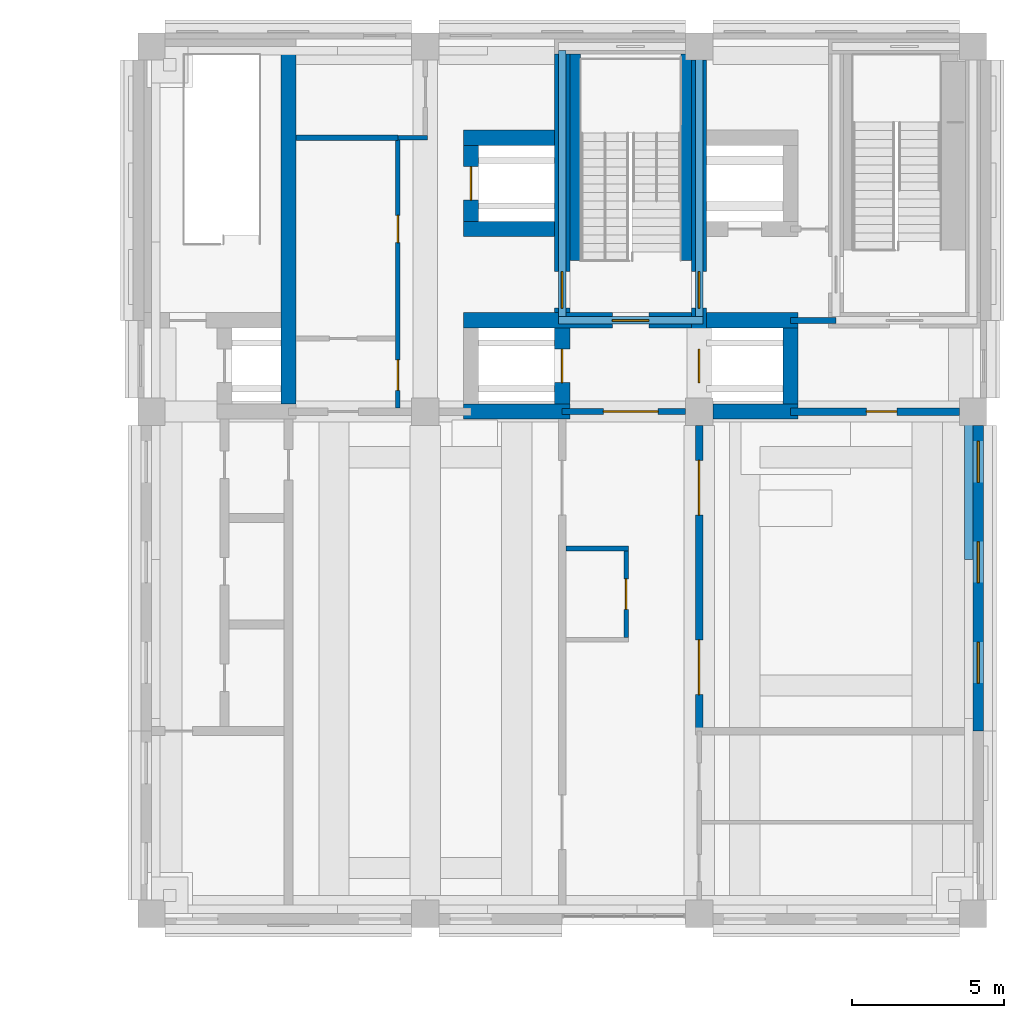
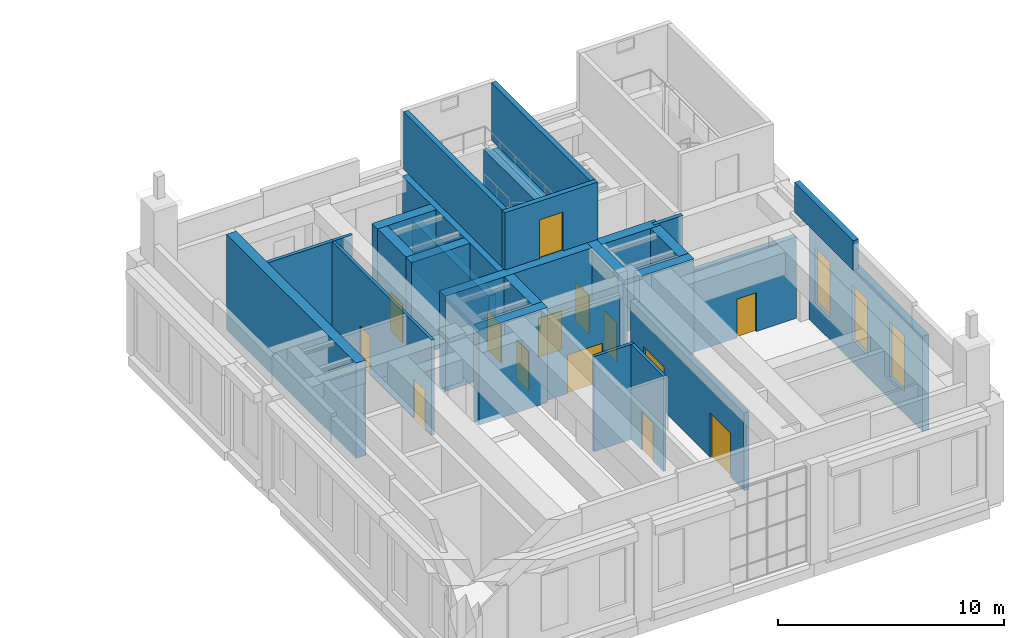
# One storey, part 16 of 22: 26 walls, 14 doors, 3 windows, 17 openings.
"""IFC4 building model written with IfcOpenShell, lengths in metres."""

from ifc_helpers import new_model, si_unit, direction, frame, frame_2d, origin, place, context, subcontext, project, spatial, rectangle, extrude, material, layer, layer_set, type_object, element, fill, save


model = new_model("IFC4")

# Units and contexts
model_context = context("Model", 3, precision=1e-05, world=origin(), true_north=direction((0.0, 1.0)))
body_context = subcontext(model_context, "Body", "Model", "MODEL_VIEW")
ifc_project = project(units=[si_unit("LENGTHUNIT", "METRE"), si_unit("AREAUNIT", "SQUARE_METRE"), si_unit("VOLUMEUNIT", "CUBIC_METRE"), si_unit("PLANEANGLEUNIT", "RADIAN"), si_unit("MASSUNIT", "GRAM", prefix="KILO")], contexts=[model_context])

# Site, building, storey
site_placement = place(None, origin())
site = spatial("IfcSite", under=ifc_project, at=site_placement, CompositionType="ELEMENT")
building_placement = place(site_placement, origin())
building = spatial("IfcBuilding", under=site, at=building_placement, Name="Aurelan Courthouse", CompositionType="ELEMENT")
storey_placement = place(building_placement, frame((0.0, 0.0, 39.0)))
storey = spatial("IfcBuildingStorey", under=building, at=storey_placement, Name="L07", CompositionType="ELEMENT", Elevation=39.0)

# Walls
ifc_material_1 = material(Name="Limestone cladding", Category="masonry")
ifc_layer_1 = layer(ifc_material_1, 0.280029296875)
ifc_layer_set_1 = layer_set([ifc_layer_1], Name="Limestone cladding")
wall_type_1 = type_object("IfcWallType", Name="CR2 crown parapet 280 x 1600", PredefinedType="PARAPET", material=ifc_layer_set_1)
wall_1_placement = place(storey_placement, frame((62.860107421875, 49.139892578125, 5.39990234375), z_axis=(0.0, 0.0, 1.0), x_axis=(0.0, 1.0, 0.0)))
element("IfcWall", 1, at=wall_1_placement, inside=storey, type_object=wall_type_1, Name="Crown parapet CR2-PA18", PredefinedType="PARAPET", context=body_context, shape_type="SweptSolid", body=[
    extrude(rectangle(XDim=5.22021484375, YDim=0.280029296875, at=frame_2d((2.610107421875, 0.0))), origin(), (0.0, 0.0, 1.0), 1.60009765625),
])
ifc_material_2 = material(Name="Gypsum board on metal studs")
ifc_layer_2 = layer(ifc_material_2, 0.175048828125)
ifc_layer_set_2 = layer_set([ifc_layer_2], Name="Gypsum board on metal studs")
wall_type_2 = type_object("IfcWallType", Name="Chambers acoustic partition 175 NOT RATED", PredefinedType="PARTITIONING", material=ifc_layer_set_2)
wall_2_placement = place(storey_placement, frame((40.75, 63.0, 0.0), z_axis=(0.0, 0.0, 1.0), x_axis=(1.0, 0.0, 0.0)))
element("IfcWall", 2, at=wall_2_placement, inside=storey, type_object=wall_type_2, Name="Chambers acoustic partition L07-026", PredefinedType="PARTITIONING", context=body_context, shape_type="SweptSolid", body=[
    extrude(rectangle(XDim=3.35009765625, YDim=0.175048828125, at=frame_2d((1.675048828125, 0.0))), origin(), (0.0, 0.0, 1.0), 5.14990234375),
])
ifc_layer_3 = layer(ifc_material_2, 0.14990234375)
ifc_layer_set_3 = layer_set([ifc_layer_3], Name="Gypsum board on metal studs")
wall_type_3 = type_object("IfcWallType", Name="Corridor partition 150 EI 60", PredefinedType="PARTITIONING", material=ifc_layer_set_3)
wall_3_placement = place(storey_placement, frame((49.625, 49.5, 0.0), z_axis=(0.0, 0.0, 1.0), x_axis=(1.0, 0.0, 0.0)))
element("IfcWall", 3, at=wall_3_placement, inside=storey, type_object=wall_type_3, Name="Corridor partition L07-017", PredefinedType="PARTITIONING", context=body_context, shape_type="SweptSolid", body=[
    extrude(rectangle(XDim=2.050048828125, YDim=0.14990234375, at=frame_2d((1.02490234375, 0.0))), origin(), (0.0, 0.0, 1.0), 5.14990234375),
])
wall_4_placement = place(storey_placement, frame((44.10009765625, 63.0, 0.0), z_axis=(0.0, 0.0, 1.0), x_axis=(1.0, 0.0, 0.0)))
element("IfcWall", 4, at=wall_4_placement, inside=storey, type_object=wall_type_3, Name="Corridor partition L07-027", PredefinedType="PARTITIONING", context=body_context, shape_type="SweptSolid", body=[
    extrude(rectangle(XDim=0.974853515625, YDim=0.14990234375, at=frame_2d((0.4873046875, 0.0))), origin(), (0.0, 0.0, 1.0), 5.14990234375),
])

# Wall, openings, doors
wall_5_placement = place(storey_placement, frame((44.10009765625, 54.125, 0.0), z_axis=(0.0, 0.0, 1.0), x_axis=(0.0, 1.0, 0.0)))
wall_5 = element("IfcWall", 5, at=wall_5_placement, inside=storey, type_object=wall_type_3, Name="Corridor partition L07-038", PredefinedType="PARTITIONING", context=body_context, shape_type="SweptSolid", body=[
    extrude(rectangle(XDim=8.800048828125, YDim=0.14990234375, at=frame_2d((4.39990234375, 0.0))), origin(), (0.0, 0.0, 1.0), 5.14990234375),
])
opening_1_placement = place(wall_5_placement, frame((0.574951171875, 0.0, 0.0)))
opening_1 = element("IfcOpeningElement", 6, at=opening_1_placement, cuts=wall_5, Name="Opening D-L07-025", PredefinedType="OPENING", context=body_context, shape_type="SweptSolid", body=[
    extrude(rectangle(XDim=1.0, YDim=2.10009765625, at=frame_2d((0.5, 1.050048828125))), frame((0.0, 0.0849609375, 0.0), z_axis=(0.0, -1.0, 0.0), x_axis=(1.0, 0.0, 0.0)), (0.0, 0.0, 1.0), 0.169921875),
])
opening_2_placement = place(wall_5_placement, frame((5.425048828125, 0.0, 0.0)))
opening_2 = element("IfcOpeningElement", 7, at=opening_2_placement, cuts=wall_5, Name="Opening D-L07-026", PredefinedType="OPENING", context=body_context, shape_type="SweptSolid", body=[
    extrude(rectangle(XDim=0.89990234375, YDim=2.10009765625, at=frame_2d((0.449951171875, 1.050048828125))), frame((0.0, 0.0849609375, 0.0), z_axis=(0.0, -1.0, 0.0), x_axis=(1.0, 0.0, 0.0)), (0.0, 0.0, 1.0), 0.169921875),
])
ifc_material_3 = material(Name="Steel", Category="steel")
door_type_1 = type_object("IfcDoorType", Name="Single door 1000 x 2100 FD60", OperationType="SINGLE_SWING_LEFT", PredefinedType="DOOR", material=ifc_material_3)
door_1_placement = place(opening_1_placement, origin())
door_1 = element("IfcDoor", 8, at=door_1_placement, inside=storey, type_object=door_type_1, Name="Single door D-L07-025", OperationType="SINGLE_SWING_RIGHT", OverallHeight=2.10009765625, OverallWidth=1.0, PredefinedType="DOOR", context=body_context, shape_type="SweptSolid", body=[
    extrude(rectangle(XDim=1.0, YDim=2.10009765625, at=frame_2d((0.5, 1.050048828125))), frame((0.0, 0.02490234375, 0.0), z_axis=(0.0, -1.0, 0.0), x_axis=(1.0, 0.0, 0.0)), (0.0, 0.0, 1.0), 0.050048828125),
])
fill(opening_1, door_1)
door_type_2 = type_object("IfcDoorType", Name="Single door 900 x 2100 FD60", OperationType="SINGLE_SWING_LEFT", PredefinedType="DOOR", material=ifc_material_3)
door_2_placement = place(opening_2_placement, origin())
door_2 = element("IfcDoor", 9, at=door_2_placement, inside=storey, type_object=door_type_2, Name="Single door D-L07-026", OperationType="SINGLE_SWING_RIGHT", OverallHeight=2.10009765625, OverallWidth=0.89990234375, PredefinedType="DOOR", context=body_context, shape_type="SweptSolid", body=[
    extrude(rectangle(XDim=0.89990234375, YDim=2.10009765625, at=frame_2d((0.449951171875, 1.050048828125))), frame((0.0, 0.02490234375, 0.0), z_axis=(0.0, -1.0, 0.0), x_axis=(1.0, 0.0, 0.0)), (0.0, 0.0, 1.0), 0.050048828125),
])
fill(opening_2, door_2)

# Wall, opening, door
wall_6_placement = place(storey_placement, frame((51.60009765625, 46.574951171875, 0.0), z_axis=(0.0, 0.0, 1.0), x_axis=(0.0, 1.0, 0.0)))
wall_6 = element("IfcWall", 10, at=wall_6_placement, inside=storey, type_object=wall_type_3, Name="Corridor partition L07-041", PredefinedType="PARTITIONING", context=body_context, shape_type="SweptSolid", body=[
    extrude(rectangle(XDim=2.85009765625, YDim=0.14990234375, at=frame_2d((1.425048828125, 0.0))), origin(), (0.0, 0.0, 1.0), 5.14990234375),
])
opening_3_placement = place(wall_6_placement, frame((0.925048828125, 0.0, 0.0)))
opening_3 = element("IfcOpeningElement", 11, at=opening_3_placement, cuts=wall_6, Name="Opening D-L07-013", PredefinedType="OPENING", context=body_context, shape_type="SweptSolid", body=[
    extrude(rectangle(XDim=1.0, YDim=2.10009765625, at=frame_2d((0.5, 1.050048828125))), frame((0.0, 0.0849609375, 0.0), z_axis=(0.0, -1.0, 0.0), x_axis=(1.0, 0.0, 0.0)), (0.0, 0.0, 1.0), 0.169921875),
])
door_3_placement = place(opening_3_placement, origin())
door_3 = element("IfcDoor", 12, at=door_3_placement, inside=storey, type_object=door_type_1, Name="Single door D-L07-013", OperationType="SINGLE_SWING_RIGHT", OverallHeight=2.10009765625, OverallWidth=1.0, PredefinedType="DOOR", context=body_context, shape_type="SweptSolid", body=[
    extrude(rectangle(XDim=1.0, YDim=2.10009765625, at=frame_2d((0.5, 1.050048828125))), frame((0.0, 0.02490234375, 0.0), z_axis=(0.0, -1.0, 0.0), x_axis=(1.0, 0.0, 0.0)), (0.0, 0.0, 1.0), 0.050048828125),
])
fill(opening_3, door_3)

# Wall, openings, windows
ifc_layer_4 = layer(ifc_material_1, 0.10009765625, Name="Facing")
ifc_material_4 = material(Name="Ventilated cavity")
ifc_layer_5 = layer(ifc_material_4, 0.02490234375, ventilated=True, Name="Ventilated cavity")
ifc_material_5 = material(Name="Mineral wool insulation")
ifc_layer_6 = layer(ifc_material_5, 0.050048828125, Name="Insulation")
ifc_material_6 = material(Name="Concrete C30", Category="concrete")
ifc_layer_7 = layer(ifc_material_6, 0.175048828125, Name="Structure")
ifc_layer_set_4 = layer_set([ifc_layer_4, ifc_layer_5, ifc_layer_6, ifc_layer_7], Name="Concrete C30")
wall_type_4 = type_object("IfcWallType", Name="Courtroom Block stone-faced wall 350", PredefinedType="SOLIDWALL", material=ifc_layer_set_4)
wall_7_placement = place(storey_placement, frame((63.175048828125, 43.5, 0.0), z_axis=(0.0, 0.0, 1.0), x_axis=(0.0, 1.0, 0.0)))
wall_7 = element("IfcWall", 13, at=wall_7_placement, inside=storey, type_object=wall_type_4, Name="Facade wall FW-V2-L07-008", PredefinedType="SOLIDWALL", context=body_context, shape_type="SweptSolid", body=[
    extrude(rectangle(XDim=10.050048828125, YDim=0.35009765625, at=frame_2d((5.02490234375, 0.0))), origin(), (0.0, 0.0, 1.0), 5.14990234375),
])
opening_4_placement = place(wall_7_placement, frame((1.574951171875, 0.0, 1.199951171875)))
opening_4 = element("IfcOpeningElement", 14, at=opening_4_placement, cuts=wall_7, Name="Opening WN-V2-L07-010", PredefinedType="OPENING", context=body_context, shape_type="SweptSolid", body=[
    extrude(rectangle(XDim=1.35009765625, YDim=3.0, at=frame_2d((0.675048828125, 1.5))), frame((0.0, 0.18505859375, 0.0), z_axis=(0.0, -1.0, 0.0), x_axis=(1.0, 0.0, 0.0)), (0.0, 0.0, 1.0), 0.3701171875),
])
opening_5_placement = place(wall_7_placement, frame((4.875, 0.0, 1.199951171875)))
opening_5 = element("IfcOpeningElement", 15, at=opening_5_placement, cuts=wall_7, Name="Opening WN-V2-L07-011", PredefinedType="OPENING", context=body_context, shape_type="SweptSolid", body=[
    extrude(rectangle(XDim=1.35009765625, YDim=3.0, at=frame_2d((0.675048828125, 1.5))), frame((0.0, 0.18505859375, 0.0), z_axis=(0.0, -1.0, 0.0), x_axis=(1.0, 0.0, 0.0)), (0.0, 0.0, 1.0), 0.3701171875),
])
opening_6_placement = place(wall_7_placement, frame((8.175048828125, 0.0, 1.199951171875)))
opening_6 = element("IfcOpeningElement", 16, at=opening_6_placement, cuts=wall_7, Name="Opening WN-V2-L07-012", PredefinedType="OPENING", context=body_context, shape_type="SweptSolid", body=[
    extrude(rectangle(XDim=1.35009765625, YDim=3.0, at=frame_2d((0.675048828125, 1.5))), frame((0.0, 0.18505859375, 0.0), z_axis=(0.0, -1.0, 0.0), x_axis=(1.0, 0.0, 0.0)), (0.0, 0.0, 1.0), 0.3701171875),
])
ifc_material_7 = material(Name="Bronze-finished aluminium and glass", Category="aluminium")
window_type = type_object("IfcWindowType", Name="Courtroom Block glazed slot 1350 x 3000, sill 1200", PartitioningType="SINGLE_PANEL", PredefinedType="WINDOW", material=ifc_material_7)
window_1_placement = place(opening_4_placement, origin())
window_1 = element("IfcWindow", 17, at=window_1_placement, inside=storey, type_object=window_type, Name="Glazed slot WN-V2-L07-010", OverallHeight=3.0, OverallWidth=1.35009765625, PartitioningType="SINGLE_PANEL", PredefinedType="WINDOW", context=body_context, shape_type="SweptSolid", body=[
    extrude(rectangle(XDim=1.35009765625, YDim=3.0, at=frame_2d((0.675048828125, 1.5))), frame((0.0, 0.030029296875, 0.0), z_axis=(0.0, -1.0, 0.0), x_axis=(1.0, 0.0, 0.0)), (0.0, 0.0, 1.0), 0.06005859375),
])
fill(opening_4, window_1)
window_2_placement = place(opening_5_placement, origin())
window_2 = element("IfcWindow", 18, at=window_2_placement, inside=storey, type_object=window_type, Name="Glazed slot WN-V2-L07-011", OverallHeight=3.0, OverallWidth=1.35009765625, PartitioningType="SINGLE_PANEL", PredefinedType="WINDOW", context=body_context, shape_type="SweptSolid", body=[
    extrude(rectangle(XDim=1.35009765625, YDim=3.0, at=frame_2d((0.675048828125, 1.5))), frame((0.0, 0.030029296875, 0.0), z_axis=(0.0, -1.0, 0.0), x_axis=(1.0, 0.0, 0.0)), (0.0, 0.0, 1.0), 0.06005859375),
])
fill(opening_5, window_2)
window_3_placement = place(opening_6_placement, origin())
window_3 = element("IfcWindow", 19, at=window_3_placement, inside=storey, type_object=window_type, Name="Glazed slot WN-V2-L07-012", OverallHeight=3.0, OverallWidth=1.35009765625, PartitioningType="SINGLE_PANEL", PredefinedType="WINDOW", context=body_context, shape_type="SweptSolid", body=[
    extrude(rectangle(XDim=1.35009765625, YDim=3.0, at=frame_2d((0.675048828125, 1.5))), frame((0.0, 0.030029296875, 0.0), z_axis=(0.0, -1.0, 0.0), x_axis=(1.0, 0.0, 0.0)), (0.0, 0.0, 1.0), 0.06005859375),
])
fill(opening_6, window_3)

# Wall, opening, door
ifc_material_8 = material(Name="Masonry block", Category="masonry")
ifc_layer_8 = layer(ifc_material_8, 0.25)
ifc_layer_set_5 = layer_set([ifc_layer_8], Name="Masonry block")
wall_type_5 = type_object("IfcWallType", Name="Courtroom wall 250 EI 60", PredefinedType="PARTITIONING", material=ifc_layer_set_5)
wall_8_placement = place(storey_placement, frame((57.0, 54.0, 0.0), z_axis=(0.0, 0.0, 1.0), x_axis=(1.0, 0.0, 0.0)))
wall_8 = element("IfcWall", 20, at=wall_8_placement, inside=storey, type_object=wall_type_5, Name="Courtroom wall L07-022", PredefinedType="PARTITIONING", context=body_context, shape_type="SweptSolid", body=[
    extrude(rectangle(XDim=5.550048828125, YDim=0.25, at=frame_2d((2.77490234375, 0.0))), origin(), (0.0, 0.0, 1.0), 4.39990234375),
])
opening_7_placement = place(wall_8_placement, frame((2.5, 0.0, 0.0)))
opening_7 = element("IfcOpeningElement", 21, at=opening_7_placement, cuts=wall_8, Name="Opening D-L07-031", PredefinedType="OPENING", context=body_context, shape_type="SweptSolid", body=[
    extrude(rectangle(XDim=1.0, YDim=2.10009765625, at=frame_2d((0.5, 1.050048828125))), frame((0.0, 0.135009765625, 0.0), z_axis=(0.0, -1.0, 0.0), x_axis=(1.0, 0.0, 0.0)), (0.0, 0.0, 1.0), 0.27001953125),
])
door_type_3 = type_object("IfcDoorType", Name="Single door 1000 x 2100 FD30", OperationType="SINGLE_SWING_LEFT", PredefinedType="DOOR", material=ifc_material_3)
door_4_placement = place(opening_7_placement, origin())
door_4 = element("IfcDoor", 22, at=door_4_placement, inside=storey, type_object=door_type_3, Name="Single door D-L07-031", OperationType="SINGLE_SWING_LEFT", OverallHeight=2.10009765625, OverallWidth=1.0, PredefinedType="DOOR", context=body_context, shape_type="SweptSolid", body=[
    extrude(rectangle(XDim=1.0, YDim=2.10009765625, at=frame_2d((0.5, 1.050048828125))), frame((0.0, 0.02490234375, 0.0), z_axis=(0.0, -1.0, 0.0), x_axis=(1.0, 0.0, 0.0)), (0.0, 0.0, 1.0), 0.050048828125),
])
fill(opening_7, door_4)

# Wall, openings, doors
wall_9_placement = place(storey_placement, frame((54.0, 43.5, 0.0), z_axis=(0.0, 0.0, 1.0), x_axis=(0.0, 1.0, 0.0)))
wall_9 = element("IfcWall", 23, at=wall_9_placement, inside=storey, type_object=wall_type_5, Name="Courtroom wall L07-043", PredefinedType="PARTITIONING", context=body_context, shape_type="SweptSolid", body=[
    extrude(rectangle(XDim=10.050048828125, YDim=0.25, at=frame_2d((5.02490234375, 0.0))), origin(), (0.0, 0.0, 1.0), 4.199951171875),
])
opening_8_placement = place(wall_9_placement, frame((3.0, 0.0, 0.0), z_axis=(0.0, 0.0, 1.0), x_axis=(-1.0, 0.0, 0.0)))
opening_8 = element("IfcOpeningElement", 24, at=opening_8_placement, cuts=wall_9, Name="Opening D-L07-023", PredefinedType="OPENING", context=body_context, shape_type="SweptSolid", body=[
    extrude(rectangle(XDim=1.800048828125, YDim=2.39990234375, at=frame_2d((0.89990234375, 1.199951171875))), frame((0.0, 0.135009765625, 0.0), z_axis=(0.0, -1.0, 0.0), x_axis=(1.0, 0.0, 0.0)), (0.0, 0.0, 1.0), 0.27001953125),
])
opening_9_placement = place(wall_9_placement, frame((8.900146484375, 0.0, 0.0), z_axis=(0.0, 0.0, 1.0), x_axis=(-1.0, 0.0, 0.0)))
opening_9 = element("IfcOpeningElement", 25, at=opening_9_placement, cuts=wall_9, Name="Opening D-L07-024", PredefinedType="OPENING", context=body_context, shape_type="SweptSolid", body=[
    extrude(rectangle(XDim=1.800048828125, YDim=2.39990234375, at=frame_2d((0.89990234375, 1.199951171875))), frame((0.0, 0.135009765625, 0.0), z_axis=(0.0, -1.0, 0.0), x_axis=(1.0, 0.0, 0.0)), (0.0, 0.0, 1.0), 0.27001953125),
])
door_type_4 = type_object("IfcDoorType", Name="Double door 1800 x 2400 FD30", OperationType="DOUBLE_DOOR_SINGLE_SWING", PredefinedType="DOOR", material=ifc_material_3)
door_5_placement = place(opening_8_placement, origin())
door_5 = element("IfcDoor", 26, at=door_5_placement, inside=storey, type_object=door_type_4, Name="Double door D-L07-023", OperationType="DOUBLE_DOOR_SINGLE_SWING", OverallHeight=2.39990234375, OverallWidth=1.800048828125, PredefinedType="DOOR", context=body_context, shape_type="SweptSolid", body=[
    extrude(rectangle(XDim=1.800048828125, YDim=2.39990234375, at=frame_2d((0.89990234375, 1.199951171875))), frame((0.0, 0.02490234375, 0.0), z_axis=(0.0, -1.0, 0.0), x_axis=(1.0, 0.0, 0.0)), (0.0, 0.0, 1.0), 0.050048828125),
])
fill(opening_8, door_5)
door_6_placement = place(opening_9_placement, origin())
door_6 = element("IfcDoor", 27, at=door_6_placement, inside=storey, type_object=door_type_4, Name="Double door D-L07-024", OperationType="DOUBLE_DOOR_SINGLE_SWING", OverallHeight=2.39990234375, OverallWidth=1.800048828125, PredefinedType="DOOR", context=body_context, shape_type="SweptSolid", body=[
    extrude(rectangle(XDim=1.800048828125, YDim=2.39990234375, at=frame_2d((0.89990234375, 1.199951171875))), frame((0.0, 0.02490234375, 0.0), z_axis=(0.0, -1.0, 0.0), x_axis=(1.0, 0.0, 0.0)), (0.0, 0.0, 1.0), 0.050048828125),
])
fill(opening_9, door_6)

# Wall, opening, door
ifc_material_9 = material(Name="Concrete C40", Category="concrete")
ifc_layer_9 = layer(ifc_material_9, 0.25)
ifc_layer_set_6 = layer_set([ifc_layer_9], Name="Concrete C40")
wall_type_6 = type_object("IfcWallType", Name="Head house wall 250 x 3100", PredefinedType="SOLIDWALL", material=ifc_layer_set_6)
wall_10_placement = place(storey_placement, frame((49.375, 57.0, 5.39990234375), z_axis=(0.0, 0.0, 1.0), x_axis=(1.0, 0.0, 0.0)))
wall_10 = element("IfcWall", 28, at=wall_10_placement, inside=storey, type_object=wall_type_6, Name="Head house wall HH-ST-2A-S", PredefinedType="SOLIDWALL", context=body_context, shape_type="SweptSolid", body=[
    extrude(rectangle(XDim=4.75, YDim=0.25, at=frame_2d((2.375, 0.0))), origin(), (0.0, 0.0, 1.0), 3.10009765625),
])
opening_10_placement = place(wall_10_placement, frame((2.974853515625, 0.0, 0.0), z_axis=(0.0, 0.0, 1.0), x_axis=(-1.0, 0.0, 0.0)))
opening_10 = element("IfcOpeningElement", 29, at=opening_10_placement, cuts=wall_10, Name="Opening RAD-V2-1", PredefinedType="OPENING", context=body_context, shape_type="SweptSolid", body=[
    extrude(rectangle(XDim=1.199951171875, YDim=2.10009765625, at=frame_2d((0.60009765625, 1.050048828125))), frame((0.0, 0.135009765625, 0.0), z_axis=(0.0, -1.0, 0.0), x_axis=(1.0, 0.0, 0.0)), (0.0, 0.0, 1.0), 0.27001953125),
])
ifc_material_10 = material(Name="Bronze-clad timber", Category="wood")
door_type_5 = type_object("IfcDoorType", Name="Bronze single door 1200 x 2100", OperationType="SINGLE_SWING_LEFT", PredefinedType="DOOR", material=ifc_material_10)
door_7_placement = place(opening_10_placement, origin())
door_7 = element("IfcDoor", 30, at=door_7_placement, inside=storey, type_object=door_type_5, Name="Roof access door RAD-V2-1", OperationType="SINGLE_SWING_LEFT", OverallHeight=2.10009765625, OverallWidth=1.199951171875, PredefinedType="DOOR", context=body_context, shape_type="SweptSolid", body=[
    extrude(rectangle(XDim=1.199951171875, YDim=2.10009765625, at=frame_2d((0.60009765625, 1.050048828125))), frame((0.0, 0.02490234375, 0.0), z_axis=(0.0, -1.0, 0.0), x_axis=(1.0, 0.0, 0.0)), (0.0, 0.0, 1.0), 0.050048828125),
])
fill(opening_10, door_7)

# Walls
for number, where, z_axis, x_axis, name in (
    (31, (49.5, 57.125, 5.39990234375), (0.0, 0.0, 1.0), (0.0, 1.0, 0.0), "Head house wall HH-ST-2A-W"),
    (32, (54.0, 57.125, 5.39990234375), (0.0, 0.0, 1.0), (0.0, 1.0, 0.0), "Head house wall HH-ST-2A-E"),
):
    element("IfcWall", number, at=place(storey_placement, frame(where, z_axis=z_axis, x_axis=x_axis)), inside=storey, type_object=wall_type_6, Name=name, PredefinedType="SOLIDWALL", context=body_context, shape_type="SweptSolid", body=[
        extrude(rectangle(XDim=8.75, YDim=0.25, at=frame_2d((4.375, 0.0))), origin(), (0.0, 0.0, 1.0), 3.10009765625),
    ])

# Wall, opening, door
ifc_layer_10 = layer(ifc_material_8, 0.199951171875)
ifc_layer_set_7 = layer_set([ifc_layer_10], Name="Masonry block")
wall_type_7 = type_object("IfcWallType", Name="Lift lobby wall 200 EI 60", PredefinedType="PARTITIONING", material=ifc_layer_set_7)
wall_11_placement = place(storey_placement, frame((49.5, 54.0, 0.0), z_axis=(0.0, 0.0, 1.0), x_axis=(1.0, 0.0, 0.0)))
wall_11 = element("IfcWall", 33, at=wall_11_placement, inside=storey, type_object=wall_type_7, Name="Lift lobby wall L07-021", PredefinedType="PARTITIONING", context=body_context, shape_type="SweptSolid", body=[
    extrude(rectangle(XDim=4.050048828125, YDim=0.199951171875, at=frame_2d((2.02490234375, 0.0))), origin(), (0.0, 0.0, 1.0), 4.39990234375),
])
opening_11_placement = place(wall_11_placement, frame((1.35009765625, 0.0, 0.0)))
opening_11 = element("IfcOpeningElement", 34, at=opening_11_placement, cuts=wall_11, Name="Opening D-L07-012", PredefinedType="OPENING", context=body_context, shape_type="SweptSolid", body=[
    extrude(rectangle(XDim=1.800048828125, YDim=2.10009765625, at=frame_2d((0.89990234375, 1.050048828125))), frame((0.0, 0.10986328125, 0.0), z_axis=(0.0, -1.0, 0.0), x_axis=(1.0, 0.0, 0.0)), (0.0, 0.0, 1.0), 0.219970703125),
])
door_type_6 = type_object("IfcDoorType", Name="Double door 1800 x 2100 FD60", OperationType="DOUBLE_DOOR_SINGLE_SWING", PredefinedType="DOOR", material=ifc_material_3)
door_8_placement = place(opening_11_placement, origin())
door_8 = element("IfcDoor", 35, at=door_8_placement, inside=storey, type_object=door_type_6, Name="Double door D-L07-012", OperationType="DOUBLE_DOOR_SINGLE_SWING", OverallHeight=2.10009765625, OverallWidth=1.800048828125, PredefinedType="DOOR", context=body_context, shape_type="SweptSolid", body=[
    extrude(rectangle(XDim=1.800048828125, YDim=2.10009765625, at=frame_2d((0.89990234375, 1.050048828125))), frame((0.0, 0.02490234375, 0.0), z_axis=(0.0, -1.0, 0.0), x_axis=(1.0, 0.0, 0.0)), (0.0, 0.0, 1.0), 0.050048828125),
])
fill(opening_11, door_8)

# Walls
wall_12_placement = place(storey_placement, frame((57.0, 57.0, 0.0), z_axis=(0.0, 0.0, 1.0), x_axis=(1.0, 0.0, 0.0)))
element("IfcWall", 36, at=wall_12_placement, inside=storey, type_object=wall_type_7, Name="Lift lobby wall L07-024", PredefinedType="PARTITIONING", context=body_context, shape_type="SweptSolid", body=[
    extrude(rectangle(XDim=1.5, YDim=0.199951171875, at=frame_2d((0.75, 0.0))), origin(), (0.0, 0.0, 1.0), 5.14990234375),
])
ifc_material_11 = material(Name="Concrete C50", Category="concrete")
ifc_layer_11 = layer(ifc_material_11, 0.5)
ifc_layer_set_8 = layer_set([ifc_layer_11], Name="Concrete C50")
wall_type_8 = type_object("IfcWallType", Name="RC shear wall 500", PredefinedType="SHEAR", material=ifc_layer_set_8)
wall_13_placement = place(storey_placement, frame((46.25, 54.0, 0.0), z_axis=(0.0, 0.0, 1.0), x_axis=(1.0, 0.0, 0.0)))
element("IfcWall", 37, at=wall_13_placement, inside=storey, type_object=wall_type_8, Name="Core wall SW-L07-017", PredefinedType="SHEAR", context=body_context, shape_type="SweptSolid", body=[
    extrude(rectangle(XDim=3.5, YDim=0.5, at=frame_2d((1.75, 0.0))), origin(), (0.0, 0.0, 1.0), 5.14990234375),
])
wall_14_placement = place(storey_placement, frame((54.449951171875, 54.0, 0.0), z_axis=(0.0, 0.0, 1.0), x_axis=(1.0, 0.0, 0.0)))
element("IfcWall", 38, at=wall_14_placement, inside=storey, type_object=wall_type_8, Name="Core wall SW-L07-018", PredefinedType="SHEAR", context=body_context, shape_type="SweptSolid", body=[
    extrude(rectangle(XDim=2.800048828125, YDim=0.5, at=frame_2d((1.39990234375, 0.0))), origin(), (0.0, 0.0, 1.0), 5.14990234375),
])
wall_15_placement = place(storey_placement, frame((40.5, 54.25, 0.0), z_axis=(0.0, 0.0, 1.0), x_axis=(0.0, 1.0, 0.0)))
element("IfcWall", 39, at=wall_15_placement, inside=storey, type_object=wall_type_8, Name="Core wall SW-L07-020", PredefinedType="SHEAR", context=body_context, shape_type="SweptSolid", body=[
    extrude(rectangle(XDim=11.5, YDim=0.5, at=frame_2d((5.75, 0.0))), origin(), (0.0, 0.0, 1.0), 5.14990234375),
])

# Wall, openings, doors
wall_16_placement = place(storey_placement, frame((49.5, 54.25, 0.0), z_axis=(0.0, 0.0, 1.0), x_axis=(0.0, 1.0, 0.0)))
wall_16 = element("IfcWall", 40, at=wall_16_placement, inside=storey, type_object=wall_type_8, Name="Core wall SW-L07-022", PredefinedType="SHEAR", context=body_context, shape_type="SweptSolid", body=[
    extrude(rectangle(XDim=11.5, YDim=0.5, at=frame_2d((5.75, 0.0))), origin(), (0.0, 0.0, 1.0), 5.14990234375),
])
opening_12_placement = place(wall_16_placement, frame((0.699951171875, 0.0, 0.0)))
opening_12 = element("IfcOpeningElement", 41, at=opening_12_placement, cuts=wall_16, Name="Opening LD-V2-P1-L07", PredefinedType="OPENING", context=body_context, shape_type="SweptSolid", body=[
    extrude(rectangle(XDim=1.10009765625, YDim=2.10009765625, at=frame_2d((0.550048828125, 1.050048828125))), frame((0.0, 0.260009765625, 0.0), z_axis=(0.0, -1.0, 0.0), x_axis=(1.0, 0.0, 0.0)), (0.0, 0.0, 1.0), 0.52001953125),
])
opening_13_placement = place(wall_16_placement, frame((4.349853515625, 0.0, 0.0), z_axis=(0.0, 0.0, 1.0), x_axis=(-1.0, 0.0, 0.0)))
opening_13 = element("IfcOpeningElement", 42, at=opening_13_placement, cuts=wall_16, Name="Opening D-L07-011", PredefinedType="OPENING", context=body_context, shape_type="SweptSolid", body=[
    extrude(rectangle(XDim=1.199951171875, YDim=2.10009765625, at=frame_2d((0.60009765625, 1.050048828125))), frame((0.0, 0.260009765625, 0.0), z_axis=(0.0, -1.0, 0.0), x_axis=(1.0, 0.0, 0.0)), (0.0, 0.0, 1.0), 0.52001953125),
])
door_type_7 = type_object("IfcDoorType", Name="Lift landing door 1100 x 2100 FD90", OperationType="SLIDING_TO_LEFT", PredefinedType="DOOR", material=ifc_material_3)
door_9_placement = place(opening_12_placement, origin())
door_9 = element("IfcDoor", 43, at=door_9_placement, inside=storey, type_object=door_type_7, Name="Lift landing door LD-V2-P1-L07", OperationType="SLIDING_TO_LEFT", OverallHeight=2.10009765625, OverallWidth=1.10009765625, PredefinedType="DOOR", context=body_context, shape_type="SweptSolid", body=[
    extrude(rectangle(XDim=1.10009765625, YDim=2.10009765625, at=frame_2d((0.550048828125, 1.050048828125))), frame((0.0, 0.02490234375, 0.0), z_axis=(0.0, -1.0, 0.0), x_axis=(1.0, 0.0, 0.0)), (0.0, 0.0, 1.0), 0.050048828125),
])
fill(opening_12, door_9)
door_type_8 = type_object("IfcDoorType", Name="Single door 1200 x 2100 FD90", OperationType="SINGLE_SWING_LEFT", PredefinedType="DOOR", material=ifc_material_3)
door_10_placement = place(opening_13_placement, origin())
door_10 = element("IfcDoor", 44, at=door_10_placement, inside=storey, type_object=door_type_8, Name="Single door D-L07-011", OperationType="SINGLE_SWING_RIGHT", OverallHeight=2.10009765625, OverallWidth=1.199951171875, PredefinedType="DOOR", context=body_context, shape_type="SweptSolid", body=[
    extrude(rectangle(XDim=1.199951171875, YDim=2.10009765625, at=frame_2d((0.60009765625, 1.050048828125))), frame((0.0, 0.02490234375, 0.0), z_axis=(0.0, -1.0, 0.0), x_axis=(1.0, 0.0, 0.0)), (0.0, 0.0, 1.0), 0.050048828125),
])
fill(opening_13, door_10)

# Wall
wall_17_placement = place(storey_placement, frame((57.0, 54.25, 0.0), z_axis=(0.0, 0.0, 1.0), x_axis=(0.0, 1.0, 0.0)))
element("IfcWall", 45, at=wall_17_placement, inside=storey, type_object=wall_type_8, Name="Core wall SW-L07-023", PredefinedType="SHEAR", context=body_context, shape_type="SweptSolid", body=[
    extrude(rectangle(XDim=2.5, YDim=0.5, at=frame_2d((1.25, 0.0))), origin(), (0.0, 0.0, 1.0), 5.14990234375),
])

# Wall, openings, doors
wall_18_placement = place(storey_placement, frame((54.0, 54.449951171875, 0.0), z_axis=(0.0, 0.0, 1.0), x_axis=(0.0, 1.0, 0.0)))
wall_18 = element("IfcWall", 46, at=wall_18_placement, inside=storey, type_object=wall_type_8, Name="Core wall SW-L07-024", PredefinedType="SHEAR", context=body_context, shape_type="SweptSolid", body=[
    extrude(rectangle(XDim=11.10009765625, YDim=0.5, at=frame_2d((5.550048828125, 0.0))), origin(), (0.0, 0.0, 1.0), 5.14990234375),
])
opening_14_placement = place(wall_18_placement, frame((0.5, 0.0, 0.0)))
opening_14 = element("IfcOpeningElement", 47, at=opening_14_placement, cuts=wall_18, Name="Opening LD-V2-P2-L07", PredefinedType="OPENING", context=body_context, shape_type="SweptSolid", body=[
    extrude(rectangle(XDim=1.10009765625, YDim=2.10009765625, at=frame_2d((0.550048828125, 1.050048828125))), frame((0.0, 0.260009765625, 0.0), z_axis=(0.0, -1.0, 0.0), x_axis=(1.0, 0.0, 0.0)), (0.0, 0.0, 1.0), 0.52001953125),
])
opening_15_placement = place(wall_18_placement, frame((2.949951171875, 0.0, 0.0)))
opening_15 = element("IfcOpeningElement", 48, at=opening_15_placement, cuts=wall_18, Name="Opening D-L07-007", PredefinedType="OPENING", context=body_context, shape_type="SweptSolid", body=[
    extrude(rectangle(XDim=1.199951171875, YDim=2.10009765625, at=frame_2d((0.60009765625, 1.050048828125))), frame((0.0, 0.260009765625, 0.0), z_axis=(0.0, -1.0, 0.0), x_axis=(1.0, 0.0, 0.0)), (0.0, 0.0, 1.0), 0.52001953125),
])
door_11_placement = place(opening_14_placement, origin())
door_11 = element("IfcDoor", 49, at=door_11_placement, inside=storey, type_object=door_type_7, Name="Lift landing door LD-V2-P2-L07", OperationType="SLIDING_TO_LEFT", OverallHeight=2.10009765625, OverallWidth=1.10009765625, PredefinedType="DOOR", context=body_context, shape_type="SweptSolid", body=[
    extrude(rectangle(XDim=1.10009765625, YDim=2.10009765625, at=frame_2d((0.550048828125, 1.050048828125))), frame((0.0, 0.02490234375, 0.0), z_axis=(0.0, -1.0, 0.0), x_axis=(1.0, 0.0, 0.0)), (0.0, 0.0, 1.0), 0.050048828125),
])
fill(opening_14, door_11)
door_12_placement = place(opening_15_placement, origin())
door_12 = element("IfcDoor", 50, at=door_12_placement, inside=storey, type_object=door_type_8, Name="Single door D-L07-007", OperationType="SINGLE_SWING_LEFT", OverallHeight=2.10009765625, OverallWidth=1.199951171875, PredefinedType="DOOR", context=body_context, shape_type="SweptSolid", body=[
    extrude(rectangle(XDim=1.199951171875, YDim=2.10009765625, at=frame_2d((0.60009765625, 1.050048828125))), frame((0.0, 0.02490234375, 0.0), z_axis=(0.0, -1.0, 0.0), x_axis=(1.0, 0.0, 0.0)), (0.0, 0.0, 1.0), 0.050048828125),
])
fill(opening_15, door_12)

# Wall, opening, door
wall_19_placement = place(storey_placement, frame((46.25, 57.0, 0.0), z_axis=(0.0, 0.0, 1.0), x_axis=(1.0, 0.0, 0.0)))
wall_19 = element("IfcWall", 51, at=wall_19_placement, inside=storey, type_object=wall_type_8, Name="Core wall SW-L07-026", PredefinedType="SHEAR", context=body_context, shape_type="SweptSolid", body=[
    extrude(rectangle(XDim=11.0, YDim=0.5, at=frame_2d((5.5, 0.0))), origin(), (0.0, 0.0, 1.0), 5.14990234375),
])
opening_16_placement = place(wall_19_placement, frame((4.89990234375, 0.0, 0.0)))
opening_16 = element("IfcOpeningElement", 52, at=opening_16_placement, cuts=wall_19, Name="Opening D-L07-005", PredefinedType="OPENING", context=body_context, shape_type="SweptSolid", body=[
    extrude(rectangle(XDim=1.199951171875, YDim=2.10009765625, at=frame_2d((0.60009765625, 1.050048828125))), frame((0.0, 0.260009765625, 0.0), z_axis=(0.0, -1.0, 0.0), x_axis=(1.0, 0.0, 0.0)), (0.0, 0.0, 1.0), 0.52001953125),
])
door_13_placement = place(opening_16_placement, origin())
door_13 = element("IfcDoor", 53, at=door_13_placement, inside=storey, type_object=door_type_8, Name="Single door D-L07-005", OperationType="SINGLE_SWING_RIGHT", OverallHeight=2.10009765625, OverallWidth=1.199951171875, PredefinedType="DOOR", context=body_context, shape_type="SweptSolid", body=[
    extrude(rectangle(XDim=1.199951171875, YDim=2.10009765625, at=frame_2d((0.60009765625, 1.050048828125))), frame((0.0, 0.02490234375, 0.0), z_axis=(0.0, -1.0, 0.0), x_axis=(1.0, 0.0, 0.0)), (0.0, 0.0, 1.0), 0.050048828125),
])
fill(opening_16, door_13)

# Wall
wall_20_placement = place(storey_placement, frame((46.25, 60.0, 0.0), z_axis=(0.0, 0.0, 1.0), x_axis=(1.0, 0.0, 0.0)))
element("IfcWall", 54, at=wall_20_placement, inside=storey, type_object=wall_type_8, Name="Core wall SW-L07-031", PredefinedType="SHEAR", context=body_context, shape_type="SweptSolid", body=[
    extrude(rectangle(XDim=3.0, YDim=0.5, at=frame_2d((1.5, 0.0))), origin(), (0.0, 0.0, 1.0), 5.14990234375),
])

# Wall, opening, door
wall_21_placement = place(storey_placement, frame((46.5, 60.25, 0.0), z_axis=(0.0, 0.0, 1.0), x_axis=(0.0, 1.0, 0.0)))
wall_21 = element("IfcWall", 55, at=wall_21_placement, inside=storey, type_object=wall_type_8, Name="Core wall SW-L07-033", PredefinedType="SHEAR", context=body_context, shape_type="SweptSolid", body=[
    extrude(rectangle(XDim=2.5, YDim=0.5, at=frame_2d((1.25, 0.0))), origin(), (0.0, 0.0, 1.0), 5.14990234375),
])
opening_17_placement = place(wall_21_placement, frame((0.699951171875, 0.0, 0.0)))
opening_17 = element("IfcOpeningElement", 56, at=opening_17_placement, cuts=wall_21, Name="Opening LD-V2-J1-L07", PredefinedType="OPENING", context=body_context, shape_type="SweptSolid", body=[
    extrude(rectangle(XDim=1.10009765625, YDim=2.10009765625, at=frame_2d((0.550048828125, 1.050048828125))), frame((0.0, 0.260009765625, 0.0), z_axis=(0.0, -1.0, 0.0), x_axis=(1.0, 0.0, 0.0)), (0.0, 0.0, 1.0), 0.52001953125),
])
door_14_placement = place(opening_17_placement, origin())
door_14 = element("IfcDoor", 57, at=door_14_placement, inside=storey, type_object=door_type_7, Name="Lift landing door LD-V2-J1-L07", OperationType="SLIDING_TO_LEFT", OverallHeight=2.10009765625, OverallWidth=1.10009765625, PredefinedType="DOOR", context=body_context, shape_type="SweptSolid", body=[
    extrude(rectangle(XDim=1.10009765625, YDim=2.10009765625, at=frame_2d((0.550048828125, 1.050048828125))), frame((0.0, 0.02490234375, 0.0), z_axis=(0.0, -1.0, 0.0), x_axis=(1.0, 0.0, 0.0)), (0.0, 0.0, 1.0), 0.050048828125),
])
fill(opening_17, door_14)

# Walls
wall_22_placement = place(storey_placement, frame((46.25, 63.0, 0.0), z_axis=(0.0, 0.0, 1.0), x_axis=(1.0, 0.0, 0.0)))
element("IfcWall", 58, at=wall_22_placement, inside=storey, type_object=wall_type_8, Name="Core wall SW-L07-035", PredefinedType="SHEAR", context=body_context, shape_type="SweptSolid", body=[
    extrude(rectangle(XDim=3.0, YDim=0.5, at=frame_2d((1.5, 0.0))), origin(), (0.0, 0.0, 1.0), 5.14990234375),
])
ifc_layer_12 = layer(ifc_material_6, 0.35009765625)
ifc_layer_set_9 = layer_set([ifc_layer_12], Name="Concrete C30")
wall_type_9 = type_object("IfcWallType", Name="Stair well wall 350 EI 120 load-bearing", PredefinedType="SHEAR", material=ifc_layer_set_9)
wall_23_placement = place(storey_placement, frame((49.925048828125, 58.9599609375, 0.0), z_axis=(0.0, 0.0, 1.0), x_axis=(0.0, 1.0, 0.0)))
element("IfcWall", 59, at=wall_23_placement, inside=storey, type_object=wall_type_9, Name="Stair well wall ST-2A-L07 A", PredefinedType="SHEAR", context=body_context, shape_type="SweptSolid", body=[
    extrude(rectangle(XDim=6.7900390625, YDim=0.35009765625, at=frame_2d((3.39501953125, 0.0))), origin(), (0.0, 0.0, 1.0), 2.587158203125),
])
wall_24_placement = place(storey_placement, frame((53.574951171875, 58.9599609375, 0.0), z_axis=(0.0, 0.0, 1.0), x_axis=(0.0, 1.0, 0.0)))
element("IfcWall", 60, at=wall_24_placement, inside=storey, type_object=wall_type_9, Name="Stair well wall ST-2A-L07 B", PredefinedType="SHEAR", context=body_context, shape_type="SweptSolid", body=[
    extrude(rectangle(XDim=6.7900390625, YDim=0.35009765625, at=frame_2d((3.39501953125, 0.0))), origin(), (0.0, 0.0, 1.0), 5.14990234375),
])

save(model, "model.ifc")
